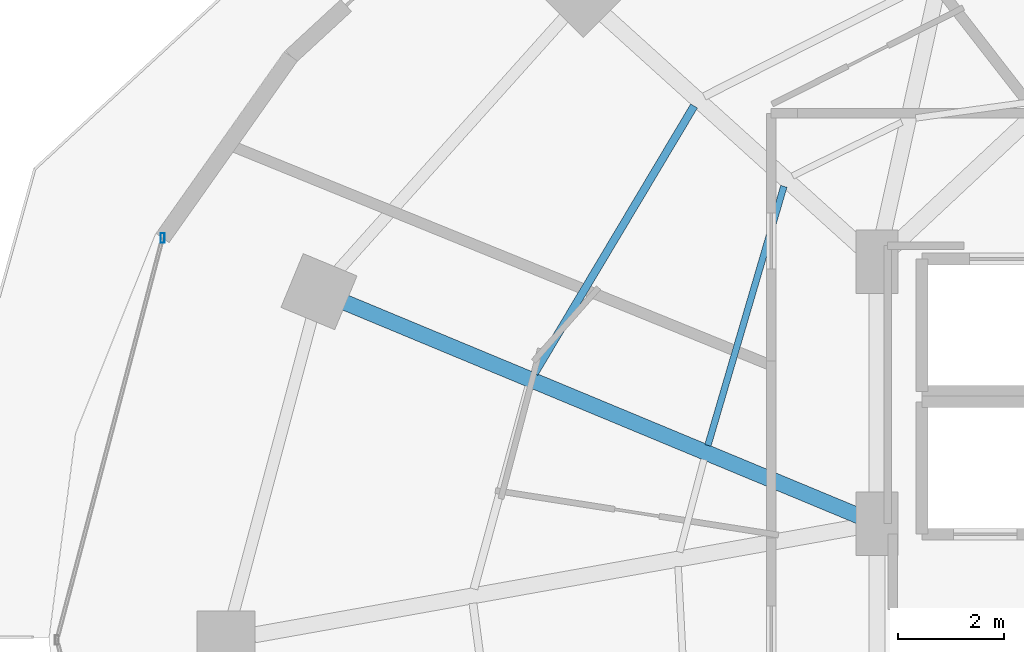
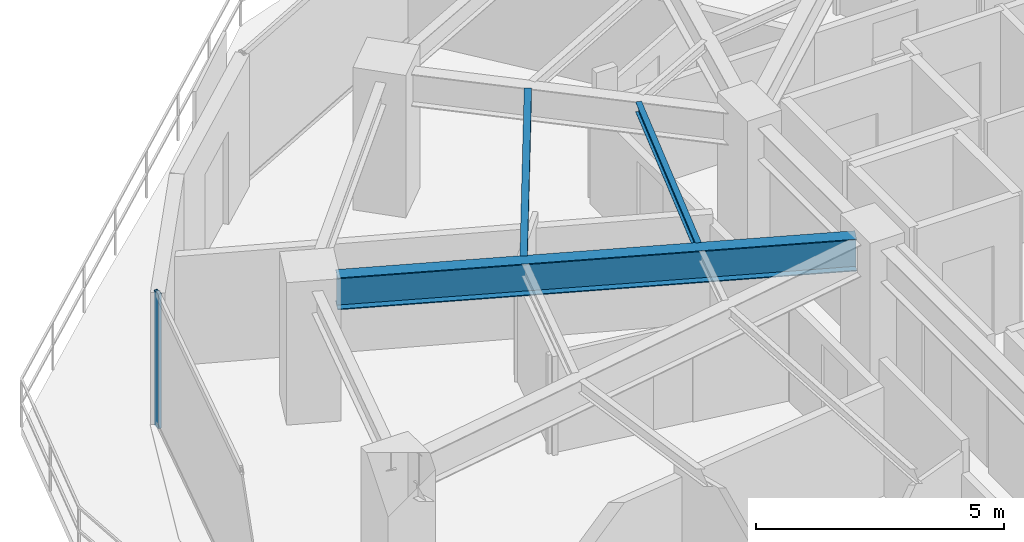
# One storey, part 8 of 30: 3 beams, 1 member, 1 element without a shape of its own.
"""IFC4 building model written with IfcOpenShell, lengths in metres."""

from ifc_helpers import new_model, si_unit, direction, frame, origin, origin_2d, place, context, subcontext, project, spatial, hollow_rectangle, i_section, extrude, material, material_profile, profile_set, type_object, element, aggregate, save


model = new_model("IFC4")

# Units and contexts
model_context = context("Model", 3, precision=1e-05, world=origin(), true_north=direction((0.0, 1.0)))
body_context = subcontext(model_context, "Body", "Model", "MODEL_VIEW")
ifc_project = project(units=[si_unit("LENGTHUNIT", "METRE"), si_unit("AREAUNIT", "SQUARE_METRE"), si_unit("VOLUMEUNIT", "CUBIC_METRE"), si_unit("PLANEANGLEUNIT", "RADIAN"), si_unit("MASSUNIT", "GRAM", prefix="KILO")], contexts=[model_context])

# Site, building, storey
site_placement = place(None, origin())
site = spatial("IfcSite", under=ifc_project, at=site_placement, CompositionType="ELEMENT")
building_placement = place(site_placement, origin())
building = spatial("IfcBuilding", under=site, at=building_placement, Name="Vorneva Point Tower", CompositionType="ELEMENT")
storey_placement = place(building_placement, frame((0.0, 0.0, 92.800048828125)))
storey = spatial("IfcBuildingStorey", under=building, at=storey_placement, Name="L24", CompositionType="ELEMENT", Elevation=92.800048828125)

# Beams
ifc_material_1 = material(Name="Steel S355", Category="steel")
ifc_material_profile_1 = material_profile(ifc_material_1, i_section(OverallWidth=0.300048828125, OverallDepth=0.7880859375, WebThickness=0.014404296875, FlangeThickness=0.02197265625, at=origin_2d()), Name="80Sh1")
ifc_profile_set_1 = profile_set([ifc_material_profile_1], Name="Steel S355")
beam_type_1 = type_object("IfcBeamType", Name="BM-GRD-80Sh1", PredefinedType="USERDEFINED", material=ifc_profile_set_1)
beam_1_placement = place(storey_placement, frame((17.201416015625, 32.375732421875, 2.845947265625), z_axis=(0.923444451211, -0.383732127307, 0.0), x_axis=(0.383732127307, 0.923444451211, 0.0)))
element("IfcBeam", 1, at=beam_1_placement, inside=storey, type_object=beam_type_1, Name="L24 Radial Primary Girder 08", ObjectType="GIRDER", PredefinedType="USERDEFINED", context=body_context, shape_type="SweptSolid", body=[
    extrude(i_section(OverallWidth=0.300048828125, OverallDepth=0.7880859375, WebThickness=0.014404296875, FlangeThickness=0.02197265625, at=origin_2d()), origin(), (0.0, 0.0, 1.0), 10.541748046875),
])
ifc_material_profile_2 = material_profile(ifc_material_1, i_section(OverallWidth=0.1240234375, OverallDepth=0.248046875, WebThickness=0.0048828125, FlangeThickness=0.008056640625, at=origin_2d()), Name="25B1")
ifc_profile_set_2 = profile_set([ifc_material_profile_2], Name="Steel S355")
beam_type_2 = type_object("IfcBeamType", Name="BM-JST-25B1", PredefinedType="JOIST", material=ifc_profile_set_2)
beam_2_placement = place(storey_placement, frame((25.48974609375, 34.572509765625, 3.115966796875), z_axis=(-0.281319059286, -0.959614290683, 0.0), x_axis=(0.959614290683, -0.281319059286, 0.0)))
element("IfcBeam", 2, at=beam_2_placement, inside=storey, type_object=beam_type_2, Name="L24 Secondary Floor Beam 2.07", PredefinedType="JOIST", context=body_context, shape_type="SweptSolid", body=[
    extrude(i_section(OverallWidth=0.1240234375, OverallDepth=0.248046875, WebThickness=0.0048828125, FlangeThickness=0.008056640625, at=origin_2d()), origin(), (0.0, 0.0, 1.0), 5.10205078125),
])
ifc_material_profile_3 = material_profile(ifc_material_1, i_section(OverallWidth=0.14892578125, OverallDepth=0.298095703125, WebThickness=0.005615234375, FlangeThickness=0.008056640625, at=origin_2d()), Name="30B1")
ifc_profile_set_3 = profile_set([ifc_material_profile_3], Name="Steel S355")
beam_type_3 = type_object("IfcBeamType", Name="BM-JST-30B1", PredefinedType="JOIST", material=ifc_profile_set_3)
beam_3_placement = place(storey_placement, frame((23.792724609375, 36.090576171875, 3.091064453125), z_axis=(-0.512554220876, -0.8586548612, 0.0), x_axis=(0.8586548612, -0.512554220876, 0.0)))
element("IfcBeam", 3, at=beam_3_placement, inside=storey, type_object=beam_type_3, Name="L24 Secondary Floor Beam 1.07", PredefinedType="JOIST", context=body_context, shape_type="SweptSolid", body=[
    extrude(i_section(OverallWidth=0.14892578125, OverallDepth=0.298095703125, WebThickness=0.005615234375, FlangeThickness=0.008056640625, at=origin_2d()), origin(), (0.0, 0.0, 1.0), 5.884521484375),
])

# Curtain wall, member
ifc_material_2 = material(Name="Pale anodised aluminium", Category="aluminium")
curtain_wall_type = type_object("IfcCurtainWallType", Name="CW-HTL-SYS", PredefinedType="NOTDEFINED", material=ifc_material_2)
curtain_wall_placement = place(storey_placement, origin())
curtain_wall = element("IfcCurtainWall", 4, at=curtain_wall_placement, inside=storey, type_object=curtain_wall_type, Name="L24 Unitised Curtain Wall CW-L24-R03", PredefinedType="NOTDEFINED")
ifc_material_profile_4 = material_profile(ifc_material_2, hollow_rectangle(XDim=0.074951171875, YDim=0.179931640625, WallThickness=0.00390625, at=origin_2d()), Name="AL-MUL 180x75x4")
ifc_profile_set_4 = profile_set([ifc_material_profile_4], Name="Pale anodised aluminium")
member_type = type_object("IfcMemberType", Name="CW-MUL-180", PredefinedType="MULLION", material=ifc_profile_set_4)
member_placement = place(storey_placement, frame((13.748291015625, 33.59619140625, -0.0400390625), z_axis=(0.0, 0.0, 1.0), x_axis=(1.0, 0.0, 0.0)))
member = element("IfcMember", 5, at=member_placement, type_object=member_type, Name="CW-L24-R03 Mullion 01", PredefinedType="MULLION", context=body_context, shape_type="SweptSolid", body=[
    extrude(hollow_rectangle(XDim=0.074951171875, YDim=0.179931640625, WallThickness=0.00390625, at=origin_2d()), origin(), (0.0, 0.0, 1.0), 3.31005859375),
])
aggregate(curtain_wall, [member])

save(model, "model.ifc")
